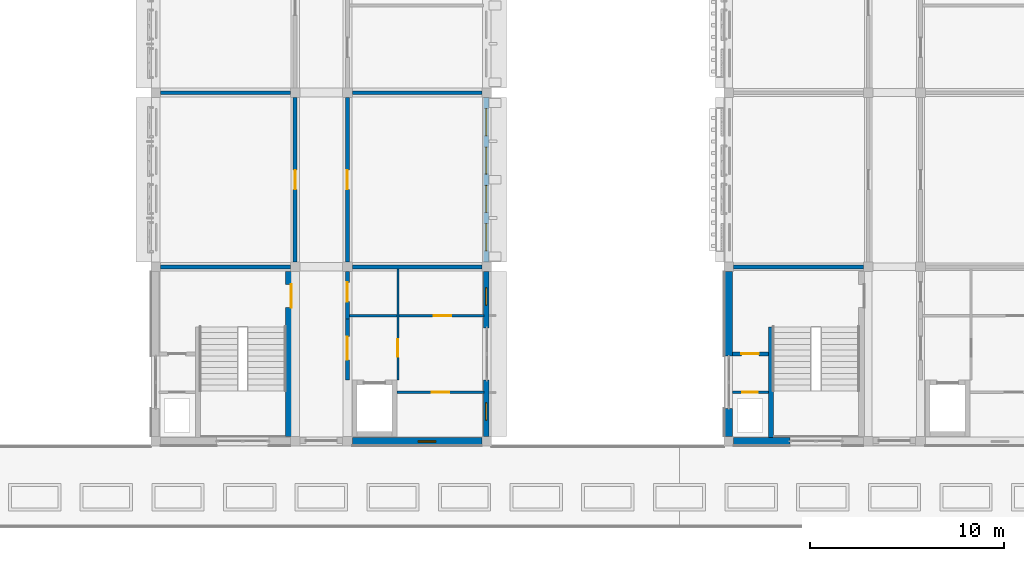
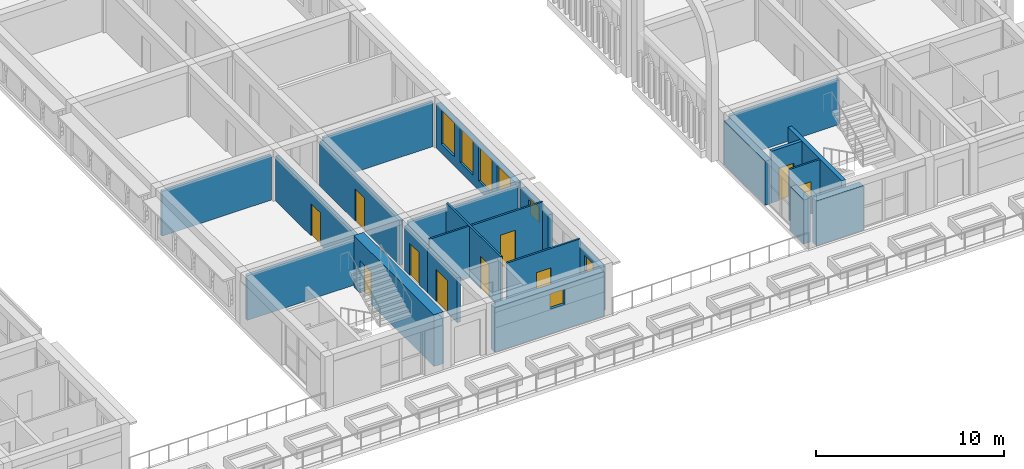
# One storey, part 47 of 82: 23 walls, 10 doors, 7 windows, 17 openings.
"""IFC4 building model written with IfcOpenShell, lengths in metres."""

from ifc_helpers import new_model, si_unit, direction, frame, frame_2d, origin, place, context, subcontext, project, spatial, rectangle, extrude, material, layer, layer_set, type_object, element, fill, save


model = new_model("IFC4")

# Units and contexts
model_context = context("Model", 3, precision=1e-05, world=origin(), true_north=direction((0.0, 1.0)))
body_context = subcontext(model_context, "Body", "Model", "MODEL_VIEW")
ifc_project = project(units=[si_unit("LENGTHUNIT", "METRE"), si_unit("AREAUNIT", "SQUARE_METRE"), si_unit("VOLUMEUNIT", "CUBIC_METRE"), si_unit("PLANEANGLEUNIT", "RADIAN"), si_unit("MASSUNIT", "GRAM", prefix="KILO")], contexts=[model_context])

# Site, building, storey
site_placement = place(None, origin())
site = spatial("IfcSite", under=ifc_project, at=site_placement, CompositionType="ELEMENT")
building_placement = place(site_placement, origin())
building = spatial("IfcBuilding", under=site, at=building_placement, Name="Elbe Cascade School", CompositionType="ELEMENT")
storey_placement = place(building_placement, frame((0.0, 0.0, 4.5)))
storey = spatial("IfcBuildingStorey", under=building, at=storey_placement, Name="L01", CompositionType="ELEMENT", Elevation=4.5)

# Walls
ifc_material_1 = material(Name="Masonry - lime-sand block, plastered", Category="masonry")
ifc_layer_1 = layer(ifc_material_1, 0.175048828125)
ifc_layer_set_1 = layer_set([ifc_layer_1], Name="Masonry - lime-sand block, plastered")
wall_type_1 = type_object("IfcWallType", Name="Bar classroom partition wall lime-sand block 175", PredefinedType="PARTITIONING", material=ifc_layer_set_1)
for number, where, z_axis, x_axis, name in (
    (1, (98.85009765625, 24.0, 0.0), (0.0, 0.0, 1.0), (1.0, 0.0, 0.0), "Bar classroom partition wall lime-sand block 175"),
    (2, (108.75, 24.0, 0.0), (0.0, 0.0, 1.0), (1.0, 0.0, 0.0), "Bar classroom partition wall lime-sand block 175"),
):
    element("IfcWall", number, at=place(storey_placement, frame(where, z_axis=z_axis, x_axis=x_axis)), inside=storey, type_object=wall_type_1, Name=name, PredefinedType="PARTITIONING", context=body_context, shape_type="SweptSolid", body=[
        extrude(rectangle(XDim=6.699951171875, YDim=0.175048828125, at=frame_2d((3.35009765625, 0.0))), origin(), (0.0, 0.0, 1.0), 2.89990234375),
    ])

# Wall, opening, door
ifc_material_2 = material(Name="Masonry - lime-sand block, plastered", Category="masonry")
ifc_layer_2 = layer(ifc_material_2, 0.199951171875)
ifc_layer_set_2 = layer_set([ifc_layer_2], Name="Masonry - lime-sand block, plastered")
wall_type_2 = type_object("IfcWallType", Name="Bar corridor wall lime-sand block 200 EI 30", PredefinedType="PARTITIONING", material=ifc_layer_set_2)
wall_1_placement = place(storey_placement, frame((108.5, 12.300048828125, 0.0), z_axis=(0.0, 0.0, 1.0), x_axis=(0.0, -1.0, 0.0)))
wall_1 = element("IfcWall", 3, at=wall_1_placement, inside=storey, type_object=wall_type_2, Name="Bar corridor wall lime-sand block 200 EI 30", PredefinedType="PARTITIONING", context=body_context, shape_type="SweptSolid", body=[
    extrude(rectangle(XDim=3.150146484375, YDim=0.199951171875, at=frame_2d((1.5751953125, 0.0))), origin(), (0.0, 0.0, 1.0), 2.89990234375),
])
opening_1_placement = place(wall_1_placement, frame((0.89990234375, 0.0, 0.0)))
opening_1 = element("IfcOpeningElement", 4, at=opening_1_placement, cuts=wall_1, Name="Opening D1.034", PredefinedType="OPENING", context=body_context, shape_type="SweptSolid", body=[
    extrude(rectangle(XDim=1.199951171875, YDim=2.10009765625, at=frame_2d((0.60009765625, 1.050048828125))), frame((0.0, 0.10986328125, 0.0), z_axis=(0.0, -1.0, 0.0), x_axis=(1.0, 0.0, 0.0)), (0.0, 0.0, 1.0), 0.219970703125),
])
ifc_material_3 = material(Name="Timber door leaf, fire-resisting and smoke-tight, steel frame", Category="steel")
door_type_1 = type_object("IfcDoorType", Name="Bar door FD30S 1200x2100", OperationType="NOTDEFINED", PredefinedType="DOOR", material=ifc_material_3)
door_1_placement = place(opening_1_placement, origin())
door_1 = element("IfcDoor", 5, at=door_1_placement, inside=storey, type_object=door_type_1, Name="Door B1.06", OperationType="SINGLE_SWING_LEFT", OverallHeight=2.10009765625, OverallWidth=1.199951171875, PredefinedType="DOOR", context=body_context, shape_type="SweptSolid", body=[
    extrude(rectangle(XDim=1.199951171875, YDim=2.10009765625, at=frame_2d((0.60009765625, 1.050048828125))), frame((0.0, 0.02490234375, 0.0), z_axis=(0.0, -1.0, 0.0), x_axis=(1.0, 0.0, 0.0)), (0.0, 0.0, 1.0), 0.050048828125),
])
fill(opening_1, door_1)

wall_2_placement = place(storey_placement, frame((108.5, 12.300048828125, 0.0), z_axis=(0.0, 0.0, 1.0), x_axis=(0.0, 1.0, 0.0)))
wall_2 = element("IfcWall", 6, at=wall_2_placement, inside=storey, type_object=wall_type_2, Name="Bar corridor wall lime-sand block 200 EI 30", PredefinedType="PARTITIONING", context=body_context, shape_type="SweptSolid", body=[
    extrude(rectangle(XDim=2.449951171875, YDim=0.199951171875, at=frame_2d((1.22509765625, 0.0))), origin(), (0.0, 0.0, 1.0), 2.89990234375),
])
opening_2_placement = place(wall_2_placement, frame((0.89990234375, 0.0, 0.0)))
opening_2 = element("IfcOpeningElement", 7, at=opening_2_placement, cuts=wall_2, Name="Opening D1.038", PredefinedType="OPENING", context=body_context, shape_type="SweptSolid", body=[
    extrude(rectangle(XDim=1.0, YDim=2.10009765625, at=frame_2d((0.5, 1.050048828125))), frame((0.0, 0.10986328125, 0.0), z_axis=(0.0, -1.0, 0.0), x_axis=(1.0, 0.0, 0.0)), (0.0, 0.0, 1.0), 0.219970703125),
])
ifc_material_4 = material(Name="Timber door leaf, fire-resisting, steel frame", Category="steel")
door_type_2 = type_object("IfcDoorType", Name="Bar door FD30 1000x2100", OperationType="NOTDEFINED", PredefinedType="DOOR", material=ifc_material_4)
door_2_placement = place(opening_2_placement, origin())
door_2 = element("IfcDoor", 8, at=door_2_placement, inside=storey, type_object=door_type_2, Name="Door B1.10", OperationType="SINGLE_SWING_RIGHT", OverallHeight=2.10009765625, OverallWidth=1.0, PredefinedType="DOOR", context=body_context, shape_type="SweptSolid", body=[
    extrude(rectangle(XDim=1.0, YDim=2.10009765625, at=frame_2d((0.5, 1.050048828125))), frame((0.0, 0.02490234375, 0.0), z_axis=(0.0, -1.0, 0.0), x_axis=(1.0, 0.0, 0.0)), (0.0, 0.0, 1.0), 0.050048828125),
])
fill(opening_2, door_2)

wall_3_placement = place(storey_placement, frame((105.800048828125, 15.25, 0.0), z_axis=(0.0, 0.0, 1.0), x_axis=(0.0, 1.0, 0.0)))
wall_3 = element("IfcWall", 9, at=wall_3_placement, inside=storey, type_object=wall_type_2, Name="Bar corridor wall lime-sand block 200 EI 30", PredefinedType="PARTITIONING", context=body_context, shape_type="SweptSolid", body=[
    extrude(rectangle(XDim=8.5, YDim=0.199951171875, at=frame_2d((4.25, 0.0))), origin(), (0.0, 0.0, 1.0), 2.89990234375),
])
opening_3_placement = place(wall_3_placement, frame((3.75, 0.0, 0.0)))
opening_3 = element("IfcOpeningElement", 10, at=opening_3_placement, cuts=wall_3, Name="Opening D1.039", PredefinedType="OPENING", context=body_context, shape_type="SweptSolid", body=[
    extrude(rectangle(XDim=1.0, YDim=2.10009765625, at=frame_2d((0.5, 1.050048828125))), frame((0.0, 0.10986328125, 0.0), z_axis=(0.0, -1.0, 0.0), x_axis=(1.0, 0.0, 0.0)), (0.0, 0.0, 1.0), 0.219970703125),
])
door_3_placement = place(opening_3_placement, origin())
door_3 = element("IfcDoor", 11, at=door_3_placement, inside=storey, type_object=door_type_2, Name="Door B1.19", OperationType="SINGLE_SWING_RIGHT", OverallHeight=2.10009765625, OverallWidth=1.0, PredefinedType="DOOR", context=body_context, shape_type="SweptSolid", body=[
    extrude(rectangle(XDim=1.0, YDim=2.10009765625, at=frame_2d((0.5, 1.050048828125))), frame((0.0, 0.02490234375, 0.0), z_axis=(0.0, -1.0, 0.0), x_axis=(1.0, 0.0, 0.0)), (0.0, 0.0, 1.0), 0.050048828125),
])
fill(opening_3, door_3)

wall_4_placement = place(storey_placement, frame((108.5, 23.75, 0.0), z_axis=(0.0, 0.0, 1.0), x_axis=(0.0, -1.0, 0.0)))
wall_4 = element("IfcWall", 12, at=wall_4_placement, inside=storey, type_object=wall_type_2, Name="Bar corridor wall lime-sand block 200 EI 30", PredefinedType="PARTITIONING", context=body_context, shape_type="SweptSolid", body=[
    extrude(rectangle(XDim=8.5, YDim=0.199951171875, at=frame_2d((4.25, 0.0))), origin(), (0.0, 0.0, 1.0), 2.89990234375),
])
opening_4_placement = place(wall_4_placement, frame((3.75, 0.0, 0.0)))
opening_4 = element("IfcOpeningElement", 13, at=opening_4_placement, cuts=wall_4, Name="Opening D1.040", PredefinedType="OPENING", context=body_context, shape_type="SweptSolid", body=[
    extrude(rectangle(XDim=1.0, YDim=2.10009765625, at=frame_2d((0.5, 1.050048828125))), frame((0.0, 0.10986328125, 0.0), z_axis=(0.0, -1.0, 0.0), x_axis=(1.0, 0.0, 0.0)), (0.0, 0.0, 1.0), 0.219970703125),
])
door_4_placement = place(opening_4_placement, origin())
door_4 = element("IfcDoor", 14, at=door_4_placement, inside=storey, type_object=door_type_2, Name="Door B1.23", OperationType="SINGLE_SWING_RIGHT", OverallHeight=2.10009765625, OverallWidth=1.0, PredefinedType="DOOR", context=body_context, shape_type="SweptSolid", body=[
    extrude(rectangle(XDim=1.0, YDim=2.10009765625, at=frame_2d((0.5, 1.050048828125))), frame((0.0, 0.02490234375, 0.0), z_axis=(0.0, -1.0, 0.0), x_axis=(1.0, 0.0, 0.0)), (0.0, 0.0, 1.0), 0.050048828125),
])
fill(opening_4, door_4)

ifc_material_5 = material(Name="Masonry - lime-sand block, plastered", Category="masonry")
ifc_layer_3 = layer(ifc_material_5, 0.114990234375)
ifc_layer_set_3 = layer_set([ifc_layer_3], Name="Masonry - lime-sand block, plastered")
wall_type_3 = type_object("IfcWallType", Name="Bar light partition wall lime-sand block 115", PredefinedType="PARTITIONING", material=ifc_layer_set_3)
wall_5_placement = place(storey_placement, frame((111.107421875, 14.89990234375, 0.0), z_axis=(0.0, 0.0, 1.0), x_axis=(0.0, -1.0, 0.0)))
wall_5 = element("IfcWall", 15, at=wall_5_placement, inside=storey, type_object=wall_type_3, Name="Bar light partition wall lime-sand block 115", PredefinedType="PARTITIONING", context=body_context, shape_type="SweptSolid", body=[
    extrude(rectangle(XDim=5.75, YDim=0.114990234375, at=frame_2d((2.875, 0.0))), origin(), (0.0, 0.0, 1.0), 3.35009765625),
])
opening_5_placement = place(wall_5_placement, frame((3.64990234375, 0.0, 0.0)))
opening_5 = element("IfcOpeningElement", 16, at=opening_5_placement, cuts=wall_5, Name="Opening D1.035", PredefinedType="OPENING", context=body_context, shape_type="SweptSolid", body=[
    extrude(rectangle(XDim=0.89990234375, YDim=2.10009765625, at=frame_2d((0.449951171875, 1.050048828125))), frame((0.0, 0.0673828125, 0.0), z_axis=(0.0, -1.0, 0.0), x_axis=(1.0, 0.0, 0.0)), (0.0, 0.0, 1.0), 0.135009765625),
])
ifc_material_6 = material(Name="Timber door leaf, steel frame", Category="steel")
door_type_3 = type_object("IfcDoorType", Name="Bar door 900x2100", OperationType="NOTDEFINED", PredefinedType="DOOR", material=ifc_material_6)
door_5_placement = place(opening_5_placement, origin())
door_5 = element("IfcDoor", 17, at=door_5_placement, inside=storey, type_object=door_type_3, Name="Door B1.07", OperationType="SINGLE_SWING_LEFT", OverallHeight=2.10009765625, OverallWidth=0.89990234375, PredefinedType="DOOR", context=body_context, shape_type="SweptSolid", body=[
    extrude(rectangle(XDim=0.89990234375, YDim=2.10009765625, at=frame_2d((0.449951171875, 1.050048828125))), frame((0.0, 0.02490234375, 0.0), z_axis=(0.0, -1.0, 0.0), x_axis=(1.0, 0.0, 0.0)), (0.0, 0.0, 1.0), 0.050048828125),
])
fill(opening_5, door_5)

wall_6_placement = place(storey_placement, frame((115.550048828125, 8.52001953125, 0.0), z_axis=(0.0, 0.0, 1.0), x_axis=(-1.0, 0.0, 0.0)))
wall_6 = element("IfcWall", 18, at=wall_6_placement, inside=storey, type_object=wall_type_3, Name="Bar light partition wall lime-sand block 115", PredefinedType="PARTITIONING", context=body_context, shape_type="SweptSolid", body=[
    extrude(rectangle(XDim=4.5, YDim=0.114990234375, at=frame_2d((2.25, 0.0))), origin(), (0.0, 0.0, 1.0), 3.35009765625),
])
opening_6_placement = place(wall_6_placement, frame((1.800048828125, 0.0, 0.0)))
opening_6 = element("IfcOpeningElement", 19, at=opening_6_placement, cuts=wall_6, Name="Opening D1.031", PredefinedType="OPENING", context=body_context, shape_type="SweptSolid", body=[
    extrude(rectangle(XDim=0.89990234375, YDim=2.10009765625, at=frame_2d((0.449951171875, 1.050048828125))), frame((0.0, 0.0673828125, 0.0), z_axis=(0.0, -1.0, 0.0), x_axis=(1.0, 0.0, 0.0)), (0.0, 0.0, 1.0), 0.135009765625),
])
door_6_placement = place(opening_6_placement, origin())
door_6 = element("IfcDoor", 20, at=door_6_placement, inside=storey, type_object=door_type_3, Name="Door B1.08", OperationType="SINGLE_SWING_LEFT", OverallHeight=2.10009765625, OverallWidth=0.89990234375, PredefinedType="DOOR", context=body_context, shape_type="SweptSolid", body=[
    extrude(rectangle(XDim=0.89990234375, YDim=2.10009765625, at=frame_2d((0.449951171875, 1.050048828125))), frame((0.0, 0.02490234375, 0.0), z_axis=(0.0, -1.0, 0.0), x_axis=(1.0, 0.0, 0.0)), (0.0, 0.0, 1.0), 0.050048828125),
])
fill(opening_6, door_6)

wall_7_placement = place(storey_placement, frame((108.60009765625, 12.47998046875, 0.0), z_axis=(0.0, 0.0, 1.0), x_axis=(1.0, 0.0, 0.0)))
wall_7 = element("IfcWall", 21, at=wall_7_placement, inside=storey, type_object=wall_type_3, Name="Bar light partition wall lime-sand block 115", PredefinedType="PARTITIONING", context=body_context, shape_type="SweptSolid", body=[
    extrude(rectangle(XDim=6.949951171875, YDim=0.114990234375, at=frame_2d((3.47509765625, 0.0))), origin(), (0.0, 0.0, 1.0), 3.35009765625),
])
opening_7_placement = place(wall_7_placement, frame((4.35009765625, 0.0, 0.0)))
opening_7 = element("IfcOpeningElement", 22, at=opening_7_placement, cuts=wall_7, Name="Opening D1.036", PredefinedType="OPENING", context=body_context, shape_type="SweptSolid", body=[
    extrude(rectangle(XDim=0.89990234375, YDim=2.10009765625, at=frame_2d((0.449951171875, 1.050048828125))), frame((0.0, 0.0673828125, 0.0), z_axis=(0.0, -1.0, 0.0), x_axis=(1.0, 0.0, 0.0)), (0.0, 0.0, 1.0), 0.135009765625),
])
door_7_placement = place(opening_7_placement, origin())
door_7 = element("IfcDoor", 23, at=door_7_placement, inside=storey, type_object=door_type_3, Name="Door B1.09", OperationType="SINGLE_SWING_RIGHT", OverallHeight=2.10009765625, OverallWidth=0.89990234375, PredefinedType="DOOR", context=body_context, shape_type="SweptSolid", body=[
    extrude(rectangle(XDim=0.89990234375, YDim=2.10009765625, at=frame_2d((0.449951171875, 1.050048828125))), frame((0.0, 0.02490234375, 0.0), z_axis=(0.0, -1.0, 0.0), x_axis=(1.0, 0.0, 0.0)), (0.0, 0.0, 1.0), 0.050048828125),
])
fill(opening_7, door_7)

wall_8_placement = place(storey_placement, frame((130.25, 8.52001953125, 0.0), z_axis=(0.0, 0.0, 1.0), x_axis=(-1.0, 0.0, 0.0)))
wall_8 = element("IfcWall", 24, at=wall_8_placement, inside=storey, type_object=wall_type_3, Name="Bar light partition wall lime-sand block 115", PredefinedType="PARTITIONING", context=body_context, shape_type="SweptSolid", body=[
    extrude(rectangle(XDim=1.8701171875, YDim=0.114990234375, at=frame_2d((0.93505859375, 0.0))), origin(), (0.0, 0.0, 1.0), 3.35009765625),
])
opening_8_placement = place(wall_8_placement, frame((0.550048828125, 0.0, 0.0)))
opening_8 = element("IfcOpeningElement", 25, at=opening_8_placement, cuts=wall_8, Name="Opening D1.057", PredefinedType="OPENING", context=body_context, shape_type="SweptSolid", body=[
    extrude(rectangle(XDim=0.800048828125, YDim=2.10009765625, at=frame_2d((0.39990234375, 1.050048828125))), frame((0.0, 0.0673828125, 0.0), z_axis=(0.0, -1.0, 0.0), x_axis=(1.0, 0.0, 0.0)), (0.0, 0.0, 1.0), 0.135009765625),
])
ifc_material_7 = material(Name="Timber door leaf, steel frame", Category="steel")
door_type_4 = type_object("IfcDoorType", Name="Bar door 800x2100", OperationType="NOTDEFINED", PredefinedType="DOOR", material=ifc_material_7)
door_8_placement = place(opening_8_placement, origin())
door_8 = element("IfcDoor", 26, at=door_8_placement, inside=storey, type_object=door_type_4, Name="Door C1.05", OperationType="SINGLE_SWING_LEFT", OverallHeight=2.10009765625, OverallWidth=0.800048828125, PredefinedType="DOOR", context=body_context, shape_type="SweptSolid", body=[
    extrude(rectangle(XDim=0.800048828125, YDim=2.10009765625, at=frame_2d((0.39990234375, 1.050048828125))), frame((0.0, 0.02490234375, 0.0), z_axis=(0.0, -1.0, 0.0), x_axis=(1.0, 0.0, 0.0)), (0.0, 0.0, 1.0), 0.050048828125),
])
fill(opening_8, door_8)

# Walls
ifc_material_8 = material(Name="Masonry - lime-sand block, plastered", Category="masonry")
ifc_layer_4 = layer(ifc_material_8, 0.199951171875)
ifc_layer_set_4 = layer_set([ifc_layer_4], Name="Masonry - lime-sand block, plastered")
wall_type_4 = type_object("IfcWallType", Name="Bar partition wall lime-sand block 200", PredefinedType="PARTITIONING", material=ifc_layer_set_4)
wall_9_placement = place(storey_placement, frame((108.75, 15.0, 0.0), z_axis=(0.0, 0.0, 1.0), x_axis=(1.0, 0.0, 0.0)))
element("IfcWall", 27, at=wall_9_placement, inside=storey, type_object=wall_type_4, Name="Bar partition wall lime-sand block 200", PredefinedType="PARTITIONING", context=body_context, shape_type="SweptSolid", body=[
    extrude(rectangle(XDim=6.699951171875, YDim=0.199951171875, at=frame_2d((3.35009765625, 0.0))), origin(), (0.0, 0.0, 1.0), 2.89990234375),
])
ifc_material_9 = material(Name="Concrete C30/37", Category="concrete")
ifc_layer_5 = layer(ifc_material_9, 0.25)
ifc_layer_set_5 = layer_set([ifc_layer_5], Name="Concrete C30/37")
wall_type_5 = type_object("IfcWallType", Name="Bar stair core wall RC 250", PredefinedType="SOLIDWALL", material=ifc_layer_set_5)
wall_10_placement = place(storey_placement, frame((130.375, 6.179931640625, 0.0), z_axis=(0.0, 0.0, 1.0), x_axis=(0.0, 1.0, 0.0)))
element("IfcWall", 28, at=wall_10_placement, inside=storey, type_object=wall_type_5, Name="Bar stair core wall RC 250", PredefinedType="SOLIDWALL", context=body_context, shape_type="SweptSolid", body=[
    extrude(rectangle(XDim=5.719970703125, YDim=0.25, at=frame_2d((2.85986328125, 0.0))), origin(), (0.0, 0.0, 1.0), 3.35009765625),
])

# Wall, opening, door
ifc_material_10 = material(Name="Concrete C30/37", Category="concrete")
ifc_layer_6 = layer(ifc_material_10, 0.60009765625)
ifc_layer_set_6 = layer_set([ifc_layer_6], Name="Concrete C30/37")
wall_type_6 = type_object("IfcWallType", Name="Bar stair core wall RC 600", PredefinedType="SOLIDWALL", material=ifc_layer_set_6)
wall_11_placement = place(storey_placement, frame((105.60009765625, 6.25, 0.0), z_axis=(0.0, 0.0, 1.0), x_axis=(0.0, 1.0, 0.0)))
wall_11 = element("IfcWall", 29, at=wall_11_placement, inside=storey, type_object=wall_type_6, Name="Bar stair core wall RC 600", PredefinedType="SOLIDWALL", context=body_context, shape_type="SweptSolid", body=[
    extrude(rectangle(XDim=8.5, YDim=0.60009765625, at=frame_2d((4.25, 0.0))), origin(), (0.0, 0.0, 1.0), 3.35009765625),
])
opening_9_placement = place(wall_11_placement, frame((6.64990234375, 0.0, 0.0)))
opening_9 = element("IfcOpeningElement", 30, at=opening_9_placement, cuts=wall_11, Name="Opening D1.037", PredefinedType="OPENING", context=body_context, shape_type="SweptSolid", body=[
    extrude(rectangle(XDim=1.199951171875, YDim=2.10009765625, at=frame_2d((0.60009765625, 1.050048828125))), frame((0.0, 0.31005859375, 0.0), z_axis=(0.0, -1.0, 0.0), x_axis=(1.0, 0.0, 0.0)), (0.0, 0.0, 1.0), 0.6201171875),
])
door_9_placement = place(opening_9_placement, origin())
door_9 = element("IfcDoor", 31, at=door_9_placement, inside=storey, type_object=door_type_1, Name="Door B1.03", OperationType="SINGLE_SWING_RIGHT", OverallHeight=2.10009765625, OverallWidth=1.199951171875, PredefinedType="DOOR", context=body_context, shape_type="SweptSolid", body=[
    extrude(rectangle(XDim=1.199951171875, YDim=2.10009765625, at=frame_2d((0.60009765625, 1.050048828125))), frame((0.0, 0.02490234375, 0.0), z_axis=(0.0, -1.0, 0.0), x_axis=(1.0, 0.0, 0.0)), (0.0, 0.0, 1.0), 0.050048828125),
])
fill(opening_9, door_9)

# Wall
ifc_material_11 = material(Name="Concrete C30/37", Category="concrete")
ifc_layer_7 = layer(ifc_material_11, 0.199951171875)
ifc_layer_set_7 = layer_set([ifc_layer_7], Name="Concrete C30/37")
wall_type_7 = type_object("IfcWallType", Name="Bar stair lobby wall RC 200", PredefinedType="SOLIDWALL", material=ifc_layer_set_7)
wall_12_placement = place(storey_placement, frame((98.85009765625, 15.0, 0.0), z_axis=(0.0, 0.0, 1.0), x_axis=(1.0, 0.0, 0.0)))
element("IfcWall", 32, at=wall_12_placement, inside=storey, type_object=wall_type_7, Name="Bar stair lobby wall RC 200", PredefinedType="SOLIDWALL", context=body_context, shape_type="SweptSolid", body=[
    extrude(rectangle(XDim=6.699951171875, YDim=0.199951171875, at=frame_2d((3.35009765625, 0.0))), origin(), (0.0, 0.0, 1.0), 2.89990234375),
])

# Wall, opening, door
wall_13_placement = place(storey_placement, frame((130.25, 10.5, 0.0), z_axis=(0.0, 0.0, 1.0), x_axis=(-1.0, 0.0, 0.0)))
wall_13 = element("IfcWall", 33, at=wall_13_placement, inside=storey, type_object=wall_type_7, Name="Bar stair lobby wall RC 200", PredefinedType="SOLIDWALL", context=body_context, shape_type="SweptSolid", body=[
    extrude(rectangle(XDim=1.8701171875, YDim=0.199951171875, at=frame_2d((0.93505859375, 0.0))), origin(), (0.0, 0.0, 1.0), 3.35009765625),
])
opening_10_placement = place(wall_13_placement, frame((0.5, 0.0, 0.0)))
opening_10 = element("IfcOpeningElement", 34, at=opening_10_placement, cuts=wall_13, Name="Opening D1.060", PredefinedType="OPENING", context=body_context, shape_type="SweptSolid", body=[
    extrude(rectangle(XDim=0.89990234375, YDim=2.10009765625, at=frame_2d((0.449951171875, 1.050048828125))), frame((0.0, 0.10986328125, 0.0), z_axis=(0.0, -1.0, 0.0), x_axis=(1.0, 0.0, 0.0)), (0.0, 0.0, 1.0), 0.219970703125),
])
ifc_material_12 = material(Name="Timber door leaf, fire-resisting and smoke-tight, steel frame", Category="steel")
door_type_5 = type_object("IfcDoorType", Name="Bar door FD30S 900x2100", OperationType="NOTDEFINED", PredefinedType="DOOR", material=ifc_material_12)
door_10_placement = place(opening_10_placement, origin())
door_10 = element("IfcDoor", 35, at=door_10_placement, inside=storey, type_object=door_type_5, Name="Door C1.04", OperationType="SINGLE_SWING_RIGHT", OverallHeight=2.10009765625, OverallWidth=0.89990234375, PredefinedType="DOOR", context=body_context, shape_type="SweptSolid", body=[
    extrude(rectangle(XDim=0.89990234375, YDim=2.10009765625, at=frame_2d((0.449951171875, 1.050048828125))), frame((0.0, 0.02490234375, 0.0), z_axis=(0.0, -1.0, 0.0), x_axis=(1.0, 0.0, 0.0)), (0.0, 0.0, 1.0), 0.050048828125),
])
fill(opening_10, door_10)

# Wall
wall_14_placement = place(storey_placement, frame((128.449951171875, 15.0, 0.0), z_axis=(0.0, 0.0, 1.0), x_axis=(1.0, 0.0, 0.0)))
element("IfcWall", 36, at=wall_14_placement, inside=storey, type_object=wall_type_7, Name="Bar stair lobby wall RC 200", PredefinedType="SOLIDWALL", context=body_context, shape_type="SweptSolid", body=[
    extrude(rectangle(XDim=6.699951171875, YDim=0.199951171875, at=frame_2d((3.35009765625, 0.0))), origin(), (0.0, 0.0, 1.0), 2.89990234375),
])

# Wall, opening, window
ifc_material_13 = material(Name="Brick masonry - red clinker, cavity wall with render backing", Category="masonry")
ifc_layer_8 = layer(ifc_material_13, 0.300048828125)
ifc_layer_set_8 = layer_set([ifc_layer_8], Name="Brick masonry - red clinker, cavity wall with render backing")
wall_type_8 = type_object("IfcWallType", Name="Bars envelope External wall - clinker brick cavity, 300 upper floors", PredefinedType="STANDARD", material=ifc_layer_set_8)
wall_15_placement = place(storey_placement, frame((115.669921875, 9.14990234375, 0.0), z_axis=(0.0, 0.0, 1.0), x_axis=(0.0, -1.0, 0.0)))
wall_15 = element("IfcWall", 37, at=wall_15_placement, inside=storey, type_object=wall_type_8, Name="External wall W30 B.L01.e1a", PredefinedType="STANDARD", context=body_context, shape_type="SweptSolid", body=[
    extrude(rectangle(XDim=2.89990234375, YDim=0.300048828125, at=frame_2d((1.449951171875, 0.0))), origin(), (0.0, 0.0, 1.0), 2.85009765625),
])
opening_11_placement = place(wall_15_placement, frame((1.169921875, 0.0, 1.60009765625)))
opening_11 = element("IfcOpeningElement", 38, at=opening_11_placement, cuts=wall_15, Name="Opening W1.024", PredefinedType="OPENING", context=body_context, shape_type="SweptSolid", body=[
    extrude(rectangle(XDim=0.89990234375, YDim=1.0, at=frame_2d((0.449951171875, 0.5))), frame((0.0, 0.159912109375, 0.0), z_axis=(0.0, -1.0, 0.0), x_axis=(1.0, 0.0, 0.0)), (0.0, 0.0, 1.0), 0.320068359375),
])
ifc_material_14 = material(Name="Aluminium frame with double glazing, bronze anodised", Category="aluminium")
window_type_1 = type_object("IfcWindowType", Name="Bars envelope Window 900 x 1000, WC and service room, high level, aluminium double glazed", PartitioningType="SINGLE_PANEL", PredefinedType="WINDOW", material=ifc_material_14)
window_1_placement = place(opening_11_placement, origin())
window_1 = element("IfcWindow", 39, at=window_1_placement, inside=storey, type_object=window_type_1, Name="Window WN4 B.L01.e1a.1", OverallHeight=1.0, OverallWidth=0.89990234375, PartitioningType="SINGLE_PANEL", PredefinedType="WINDOW", context=body_context, shape_type="SweptSolid", body=[
    extrude(rectangle(XDim=0.89990234375, YDim=1.0, at=frame_2d((0.449951171875, 0.5))), frame((0.0, 0.030029296875, 0.0), z_axis=(0.0, -1.0, 0.0), x_axis=(1.0, 0.0, 0.0)), (0.0, 0.0, 1.0), 0.06005859375),
])
fill(opening_11, window_1)

wall_16_placement = place(storey_placement, frame((115.669921875, 14.75, 0.0), z_axis=(0.0, 0.0, 1.0), x_axis=(0.0, -1.0, 0.0)))
wall_16 = element("IfcWall", 40, at=wall_16_placement, inside=storey, type_object=wall_type_8, Name="External wall W30 B.L01.e1b", PredefinedType="STANDARD", context=body_context, shape_type="SweptSolid", body=[
    extrude(rectangle(XDim=2.89990234375, YDim=0.300048828125, at=frame_2d((1.449951171875, 0.0))), origin(), (0.0, 0.0, 1.0), 2.85009765625),
])
opening_12_placement = place(wall_16_placement, frame((0.830078125, 0.0, 1.60009765625)))
opening_12 = element("IfcOpeningElement", 41, at=opening_12_placement, cuts=wall_16, Name="Opening W1.025", PredefinedType="OPENING", context=body_context, shape_type="SweptSolid", body=[
    extrude(rectangle(XDim=0.89990234375, YDim=1.0, at=frame_2d((0.449951171875, 0.5))), frame((0.0, 0.159912109375, 0.0), z_axis=(0.0, -1.0, 0.0), x_axis=(1.0, 0.0, 0.0)), (0.0, 0.0, 1.0), 0.320068359375),
])
window_2_placement = place(opening_12_placement, origin())
window_2 = element("IfcWindow", 42, at=window_2_placement, inside=storey, type_object=window_type_1, Name="Window WN4 B.L01.e1b.1", OverallHeight=1.0, OverallWidth=0.89990234375, PartitioningType="SINGLE_PANEL", PredefinedType="WINDOW", context=body_context, shape_type="SweptSolid", body=[
    extrude(rectangle(XDim=0.89990234375, YDim=1.0, at=frame_2d((0.449951171875, 0.5))), frame((0.0, 0.030029296875, 0.0), z_axis=(0.0, -1.0, 0.0), x_axis=(1.0, 0.0, 0.0)), (0.0, 0.0, 1.0), 0.06005859375),
])
fill(opening_12, window_2)

# Wall, openings, windows
wall_17_placement = place(storey_placement, frame((115.669921875, 23.75, 0.0), z_axis=(0.0, 0.0, 1.0), x_axis=(0.0, -1.0, 0.0)))
wall_17 = element("IfcWall", 43, at=wall_17_placement, inside=storey, type_object=wall_type_8, Name="External wall W30 B.L01.e2", PredefinedType="STANDARD", context=body_context, shape_type="SweptSolid", body=[
    extrude(rectangle(XDim=8.5, YDim=0.300048828125, at=frame_2d((4.25, 0.0))), origin(), (0.0, 0.0, 1.0), 2.85009765625),
])
opening_13_placement = place(wall_17_placement, frame((6.52001953125, 0.0, 0.60009765625)))
opening_13 = element("IfcOpeningElement", 44, at=opening_13_placement, cuts=wall_17, Name="Opening W1.027", PredefinedType="OPENING", context=body_context, shape_type="SweptSolid", body=[
    extrude(rectangle(XDim=1.39990234375, YDim=2.199951171875, at=frame_2d((0.699951171875, 1.10009765625))), frame((0.0, 0.159912109375, 0.0), z_axis=(0.0, -1.0, 0.0), x_axis=(1.0, 0.0, 0.0)), (0.0, 0.0, 1.0), 0.320068359375),
])
opening_14_placement = place(wall_17_placement, frame((4.5400390625, 0.0, 0.60009765625)))
opening_14 = element("IfcOpeningElement", 45, at=opening_14_placement, cuts=wall_17, Name="Opening W1.029", PredefinedType="OPENING", context=body_context, shape_type="SweptSolid", body=[
    extrude(rectangle(XDim=1.39990234375, YDim=2.199951171875, at=frame_2d((0.699951171875, 1.10009765625))), frame((0.0, 0.159912109375, 0.0), z_axis=(0.0, -1.0, 0.0), x_axis=(1.0, 0.0, 0.0)), (0.0, 0.0, 1.0), 0.320068359375),
])
opening_15_placement = place(wall_17_placement, frame((2.56005859375, 0.0, 0.60009765625)))
opening_15 = element("IfcOpeningElement", 46, at=opening_15_placement, cuts=wall_17, Name="Opening W1.031", PredefinedType="OPENING", context=body_context, shape_type="SweptSolid", body=[
    extrude(rectangle(XDim=1.39990234375, YDim=2.199951171875, at=frame_2d((0.699951171875, 1.10009765625))), frame((0.0, 0.159912109375, 0.0), z_axis=(0.0, -1.0, 0.0), x_axis=(1.0, 0.0, 0.0)), (0.0, 0.0, 1.0), 0.320068359375),
])
opening_16_placement = place(wall_17_placement, frame((0.580078125, 0.0, 0.60009765625)))
opening_16 = element("IfcOpeningElement", 47, at=opening_16_placement, cuts=wall_17, Name="Opening W1.033", PredefinedType="OPENING", context=body_context, shape_type="SweptSolid", body=[
    extrude(rectangle(XDim=1.39990234375, YDim=2.199951171875, at=frame_2d((0.699951171875, 1.10009765625))), frame((0.0, 0.159912109375, 0.0), z_axis=(0.0, -1.0, 0.0), x_axis=(1.0, 0.0, 0.0)), (0.0, 0.0, 1.0), 0.320068359375),
])
ifc_material_15 = material(Name="Aluminium frame with double glazing, bronze anodised", Category="aluminium")
window_type_2 = type_object("IfcWindowType", Name="Bars envelope Window 1400 x 2200, classroom, aluminium double glazed", PartitioningType="DOUBLE_PANEL_VERTICAL", PredefinedType="WINDOW", material=ifc_material_15)
window_3_placement = place(opening_13_placement, origin())
window_3 = element("IfcWindow", 48, at=window_3_placement, inside=storey, type_object=window_type_2, Name="Window WN7 B.L01.e2.1", OverallHeight=2.199951171875, OverallWidth=1.39990234375, PartitioningType="DOUBLE_PANEL_VERTICAL", PredefinedType="WINDOW", context=body_context, shape_type="SweptSolid", body=[
    extrude(rectangle(XDim=1.39990234375, YDim=2.199951171875, at=frame_2d((0.699951171875, 1.10009765625))), frame((0.0, 0.030029296875, 0.0), z_axis=(0.0, -1.0, 0.0), x_axis=(1.0, 0.0, 0.0)), (0.0, 0.0, 1.0), 0.06005859375),
])
fill(opening_13, window_3)
window_4_placement = place(opening_14_placement, origin())
window_4 = element("IfcWindow", 49, at=window_4_placement, inside=storey, type_object=window_type_2, Name="Window WN7 B.L01.e2.2", OverallHeight=2.199951171875, OverallWidth=1.39990234375, PartitioningType="DOUBLE_PANEL_VERTICAL", PredefinedType="WINDOW", context=body_context, shape_type="SweptSolid", body=[
    extrude(rectangle(XDim=1.39990234375, YDim=2.199951171875, at=frame_2d((0.699951171875, 1.10009765625))), frame((0.0, 0.030029296875, 0.0), z_axis=(0.0, -1.0, 0.0), x_axis=(1.0, 0.0, 0.0)), (0.0, 0.0, 1.0), 0.06005859375),
])
fill(opening_14, window_4)
window_5_placement = place(opening_15_placement, origin())
window_5 = element("IfcWindow", 50, at=window_5_placement, inside=storey, type_object=window_type_2, Name="Window WN7 B.L01.e2.3", OverallHeight=2.199951171875, OverallWidth=1.39990234375, PartitioningType="DOUBLE_PANEL_VERTICAL", PredefinedType="WINDOW", context=body_context, shape_type="SweptSolid", body=[
    extrude(rectangle(XDim=1.39990234375, YDim=2.199951171875, at=frame_2d((0.699951171875, 1.10009765625))), frame((0.0, 0.030029296875, 0.0), z_axis=(0.0, -1.0, 0.0), x_axis=(1.0, 0.0, 0.0)), (0.0, 0.0, 1.0), 0.06005859375),
])
fill(opening_15, window_5)
window_6_placement = place(opening_16_placement, origin())
window_6 = element("IfcWindow", 51, at=window_6_placement, inside=storey, type_object=window_type_2, Name="Window WN7 B.L01.e2.4", OverallHeight=2.199951171875, OverallWidth=1.39990234375, PartitioningType="DOUBLE_PANEL_VERTICAL", PredefinedType="WINDOW", context=body_context, shape_type="SweptSolid", body=[
    extrude(rectangle(XDim=1.39990234375, YDim=2.199951171875, at=frame_2d((0.699951171875, 1.10009765625))), frame((0.0, 0.030029296875, 0.0), z_axis=(0.0, -1.0, 0.0), x_axis=(1.0, 0.0, 0.0)), (0.0, 0.0, 1.0), 0.06005859375),
])
fill(opening_16, window_6)

# Wall, opening, window
ifc_material_16 = material(Name="Brick masonry - red clinker, solid, sandstone-faced", Category="masonry")
ifc_layer_9 = layer(ifc_material_16, 0.39990234375)
ifc_layer_set_9 = layer_set([ifc_layer_9], Name="Brick masonry - red clinker, solid, sandstone-faced")
wall_type_9 = type_object("IfcWallType", Name="Bars envelope External wall - solid masonry core strip, sandstone faced, 400", PredefinedType="STANDARD", material=ifc_layer_set_9)
wall_18_placement = place(storey_placement, frame((115.449951171875, 5.97998046875, 0.0), z_axis=(0.0, 0.0, 1.0), x_axis=(-1.0, 0.0, 0.0)))
wall_18 = element("IfcWall", 52, at=wall_18_placement, inside=storey, type_object=wall_type_9, Name="External wall W31 B.L01.s3", PredefinedType="STANDARD", context=body_context, shape_type="SweptSolid", body=[
    extrude(rectangle(XDim=6.699951171875, YDim=0.39990234375, at=frame_2d((3.35009765625, 0.0))), origin(), (0.0, 0.0, 1.0), 2.89990234375),
])
opening_17_placement = place(wall_18_placement, frame((2.39990234375, 0.0, 1.60009765625)))
opening_17 = element("IfcOpeningElement", 53, at=opening_17_placement, cuts=wall_18, Name="Opening W1.023", PredefinedType="OPENING", context=body_context, shape_type="SweptSolid", body=[
    extrude(rectangle(XDim=0.89990234375, YDim=1.0, at=frame_2d((0.449951171875, 0.5))), frame((0.0, 0.2099609375, 0.0), z_axis=(0.0, -1.0, 0.0), x_axis=(1.0, 0.0, 0.0)), (0.0, 0.0, 1.0), 0.419921875),
])
window_7_placement = place(opening_17_placement, origin())
window_7 = element("IfcWindow", 54, at=window_7_placement, inside=storey, type_object=window_type_1, Name="Window WN4 B.L01.s3.1", OverallHeight=1.0, OverallWidth=0.89990234375, PartitioningType="SINGLE_PANEL", PredefinedType="WINDOW", context=body_context, shape_type="SweptSolid", body=[
    extrude(rectangle(XDim=0.89990234375, YDim=1.0, at=frame_2d((0.449951171875, 0.5))), frame((0.0, 0.030029296875, 0.0), z_axis=(0.0, -1.0, 0.0), x_axis=(1.0, 0.0, 0.0)), (0.0, 0.0, 1.0), 0.06005859375),
])
fill(opening_17, window_7)

# Walls
wall_19_placement = place(storey_placement, frame((128.179931640625, 6.25, 0.0), z_axis=(0.0, 0.0, 1.0), x_axis=(0.0, 1.0, 0.0)))
element("IfcWall", 55, at=wall_19_placement, inside=storey, type_object=wall_type_9, Name="External wall W31 C.L01.w1a", PredefinedType="STANDARD", context=body_context, shape_type="SweptSolid", body=[
    extrude(rectangle(XDim=1.43994140625, YDim=0.39990234375, at=frame_2d((0.719970703125, 0.0))), origin(), (0.0, 0.0, 1.0), 2.85009765625),
])
wall_20_placement = place(storey_placement, frame((128.179931640625, 10.389892578125, 0.0), z_axis=(0.0, 0.0, 1.0), x_axis=(0.0, 1.0, 0.0)))
element("IfcWall", 56, at=wall_20_placement, inside=storey, type_object=wall_type_9, Name="External wall W31 C.L01.w1b", PredefinedType="STANDARD", context=body_context, shape_type="SweptSolid", body=[
    extrude(rectangle(XDim=4.360107421875, YDim=0.39990234375, at=frame_2d((2.18017578125, 0.0))), origin(), (0.0, 0.0, 1.0), 2.85009765625),
])
wall_21_placement = place(storey_placement, frame((131.35009765625, 5.97998046875, 0.0), z_axis=(0.0, 0.0, 1.0), x_axis=(-1.0, 0.0, 0.0)))
element("IfcWall", 57, at=wall_21_placement, inside=storey, type_object=wall_type_9, Name="External wall W31 C.L01.s1a", PredefinedType="STANDARD", context=body_context, shape_type="SweptSolid", body=[
    extrude(rectangle(XDim=2.900146484375, YDim=0.39990234375, at=frame_2d((1.4501953125, 0.0))), origin(), (0.0, 0.0, 1.0), 2.89990234375),
])

save(model, "model.ifc")
